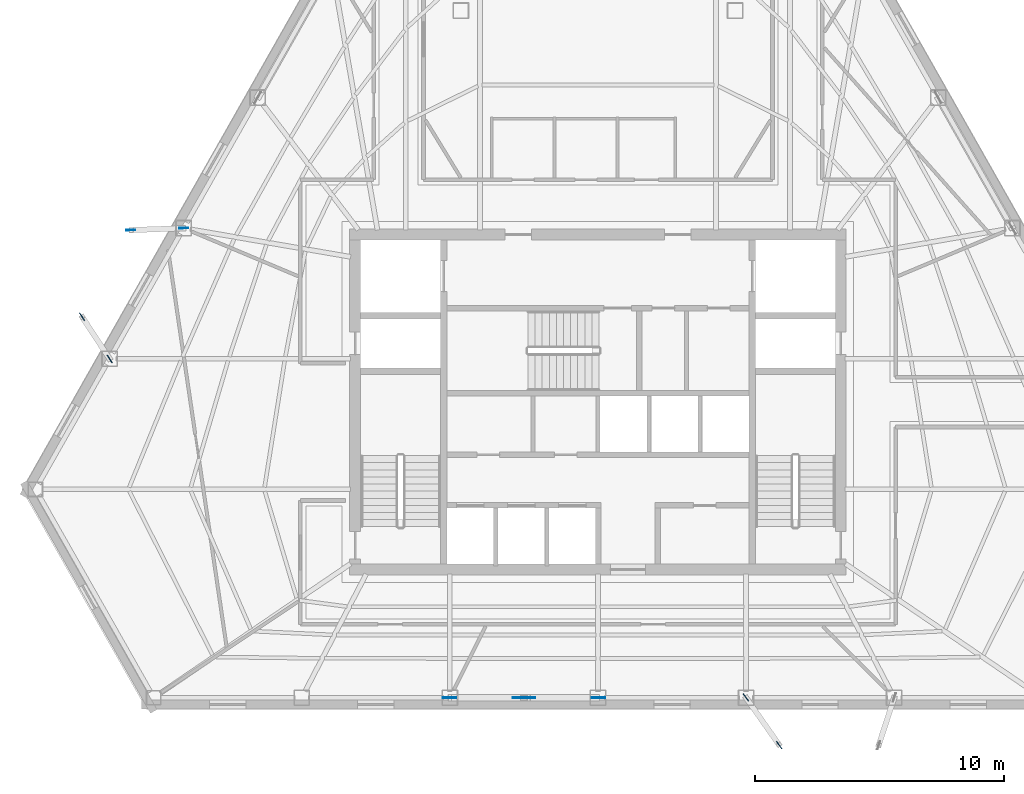
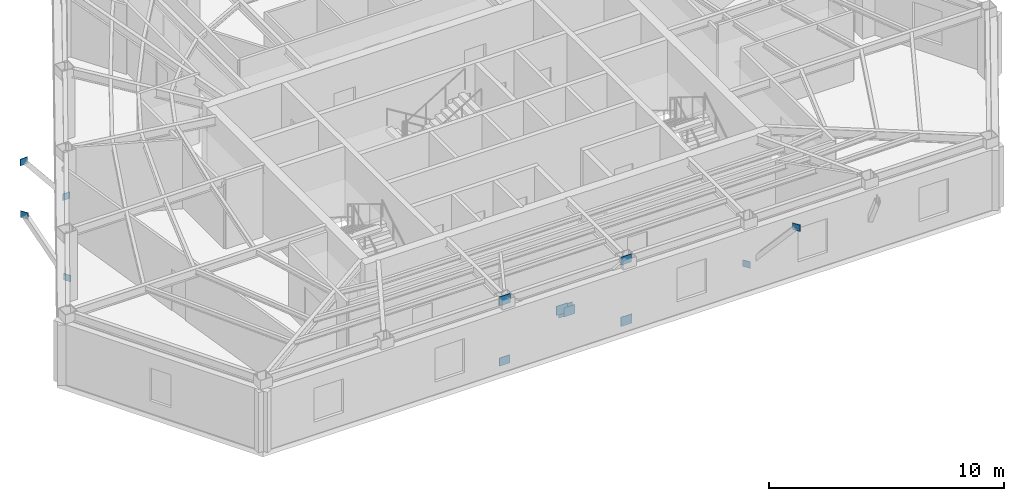
# One storey, part 4 of 11: 13 plates.
"""IFC4 building model written with IfcOpenShell, lengths in metres."""

from ifc_helpers import new_model, si_unit, direction, frame, origin, origin_2d, place, context, subcontext, project, spatial, rectangle, extrude, material, layer, layer_set, type_object, element, save


model = new_model("IFC4")

# Units and contexts
model_context = context("Model", 3, precision=1e-05, world=origin(), true_north=direction((0.0, 1.0)))
body_context = subcontext(model_context, "Body", "Model", "MODEL_VIEW")
ifc_project = project(units=[si_unit("LENGTHUNIT", "METRE"), si_unit("AREAUNIT", "SQUARE_METRE"), si_unit("VOLUMEUNIT", "CUBIC_METRE"), si_unit("PLANEANGLEUNIT", "RADIAN"), si_unit("MASSUNIT", "GRAM", prefix="KILO")], contexts=[model_context])

# Site, building, storey
site_placement = place(None, origin())
site = spatial("IfcSite", under=ifc_project, at=site_placement, CompositionType="ELEMENT")
building_placement = place(site_placement, origin())
building = spatial("IfcBuilding", under=site, at=building_placement, Name="Kavelnor Concourse Tower", CompositionType="ELEMENT")
storey_placement = place(building_placement, frame((0.0, 0.0, 165.0)))
storey = spatial("IfcBuildingStorey", under=building, at=storey_placement, Name="L41", CompositionType="ELEMENT", Elevation=165.0)

# Plates
ifc_material = material(Name="Steel Grade 350", Category="steel")
ifc_layer_1 = layer(ifc_material, 0.028076171875, Name="Steel Grade 350")
ifc_layer_set_1 = layer_set([ifc_layer_1], Name="Steel Grade 350")
plate_type_1 = type_object("IfcPlateType", Name="PL-GUSSET-FOLD", PredefinedType="USERDEFINED", material=ifc_layer_set_1)
for number, where, z_axis, x_axis, name in (
    (1, (21.38818359375, 23.076416015625, 0.8798828125), (0.0, 0.0, 1.0), (-0.999328393779, -0.036643708707, 0.0), "L41 Balcony Strut Gusset GP4 1-A End Gusset A"),
    (2, (19.26171875, 22.99853515625, 3.48486328125), (0.0, 0.0, 1.0), (-0.999328393779, -0.036643708707, 0.0), "L41 Balcony Strut Gusset GP4 1-A End Gusset B"),
    (3, (18.41064453125, 17.826416015625, 0.8798828125), (0.0, 0.0, 1.0), (-0.54741717223, 0.836859868525, 0.0), "L41 Balcony Strut Gusset GP4 1-B End Gusset A"),
    (4, (17.297607421875, 19.52734375, 3.48486328125), (0.0, 0.0, 1.0), (-0.54741717223, 0.836859868525, 0.0), "L41 Balcony Strut Gusset GP4 1-B End Gusset B"),
    (5, (43.93505859375, 4.246337890625, 0.8798828125), (0.0, 0.0, 1.0), (0.573576436351, -0.819152044289, 0.0), "L41 Balcony Strut Gusset GP4 2-A End Gusset A"),
    (6, (45.2705078125, 2.339111328125, 3.48486328125), (0.0, 0.0, 1.0), (0.573576436351, -0.819152044289, 0.0), "L41 Balcony Strut Gusset GP4 2-A End Gusset B"),
):
    element("IfcPlate", number, at=place(storey_placement, frame(where, z_axis=z_axis, x_axis=x_axis)), inside=storey, type_object=plate_type_1, Name=name, ObjectType="GUSSET_PLATE", PredefinedType="USERDEFINED", context=body_context, shape_type="SweptSolid", body=[
        extrude(rectangle(XDim=0.360107421875, YDim=0.028076171875, at=origin_2d()), origin(), (0.0, 0.0, 1.0), 0.340087890625),
    ])
ifc_layer_2 = layer(ifc_material, 0.031982421875, Name="Steel Grade 350")
ifc_layer_set_2 = layer_set([ifc_layer_2], Name="Steel Grade 350")
plate_type_2 = type_object("IfcPlateType", Name="PL-GUSSET-TUBE-Z1", PredefinedType="USERDEFINED", material=ifc_layer_set_2)
for number, where, z_axis, x_axis, name in (
    (7, (32.0458984375, 4.236572265625, 0.010009765625), (0.0, 0.0, 1.0), (1.0, 0.0, 0.0), "L41 Tube Brace Gusset GP3 F1-B2 End Gusset A"),
    (8, (38.011962890625, 4.236572265625, 3.16015625), (0.0, 0.0, 1.0), (1.0, 0.0, 0.0), "L41 Tube Brace Gusset GP3 F1-B2 End Gusset B"),
):
    element("IfcPlate", number, at=place(storey_placement, frame(where, z_axis=z_axis, x_axis=x_axis)), inside=storey, type_object=plate_type_2, Name=name, ObjectType="GUSSET_PLATE", PredefinedType="USERDEFINED", context=body_context, shape_type="SweptSolid", body=[
        extrude(rectangle(XDim=0.52001953125, YDim=0.031982421875, at=origin_2d()), origin(), (0.0, 0.0, 1.0), 0.419921875),
    ])
for number, where, z_axis, x_axis, name in (
    (9, (38.011962890625, 4.236572265625, -0.02001953125), (0.0, 0.0, 1.0), (-1.0, 0.0, 0.0), "L41 X-Brace Lower Gusset F1-B2 End Gusset A"),
    (10, (35.21142578125, 4.236572265625, 1.451904296875), (0.0, 0.0, 1.0), (-1.0, 0.0, 0.0), "L41 X-Brace Lower Gusset F1-B2 End Gusset B"),
    (11, (34.8466796875, 4.236572265625, 1.657958984375), (0.0, 0.0, 1.0), (-1.0, 0.0, 0.0), "L41 X-Brace Upper Gusset F1-B2 End Gusset A"),
    (12, (32.0458984375, 4.236572265625, 3.130126953125), (0.0, 0.0, 1.0), (-1.0, 0.0, 0.0), "L41 X-Brace Upper Gusset F1-B2 End Gusset B"),
):
    element("IfcPlate", number, at=place(storey_placement, frame(where, z_axis=z_axis, x_axis=x_axis)), inside=storey, type_object=plate_type_2, Name=name, ObjectType="GUSSET_PLATE", PredefinedType="USERDEFINED", context=body_context, shape_type="SweptSolid", body=[
        extrude(rectangle(XDim=0.5400390625, YDim=0.031982421875, at=origin_2d()), origin(), (0.0, 0.0, 1.0), 0.47998046875),
    ])
plate_placement = place(storey_placement, frame((35.029052734375, 4.236572265625, 1.48486328125), z_axis=(0.0, 0.0, 1.0), x_axis=(-1.0, 0.0, 0.0)))
element("IfcPlate", 13, at=plate_placement, inside=storey, type_object=plate_type_2, Name="L41 Tube X-Brace Central Crossing Gusset GP3 F1-B2", ObjectType="GUSSET_PLATE", PredefinedType="USERDEFINED", context=body_context, shape_type="SweptSolid", body=[
    extrude(rectangle(XDim=0.679931640625, YDim=0.031982421875, at=origin_2d()), origin(), (0.0, 0.0, 1.0), 0.6201171875),
])

save(model, "model.ifc")
